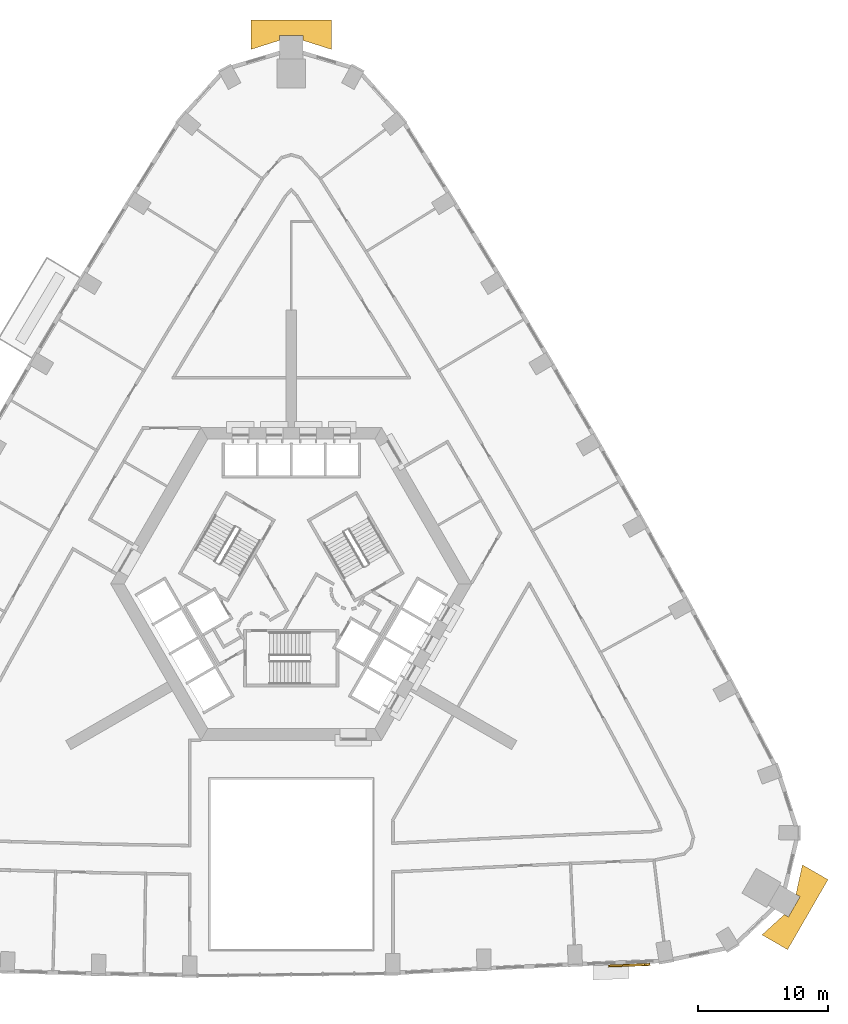
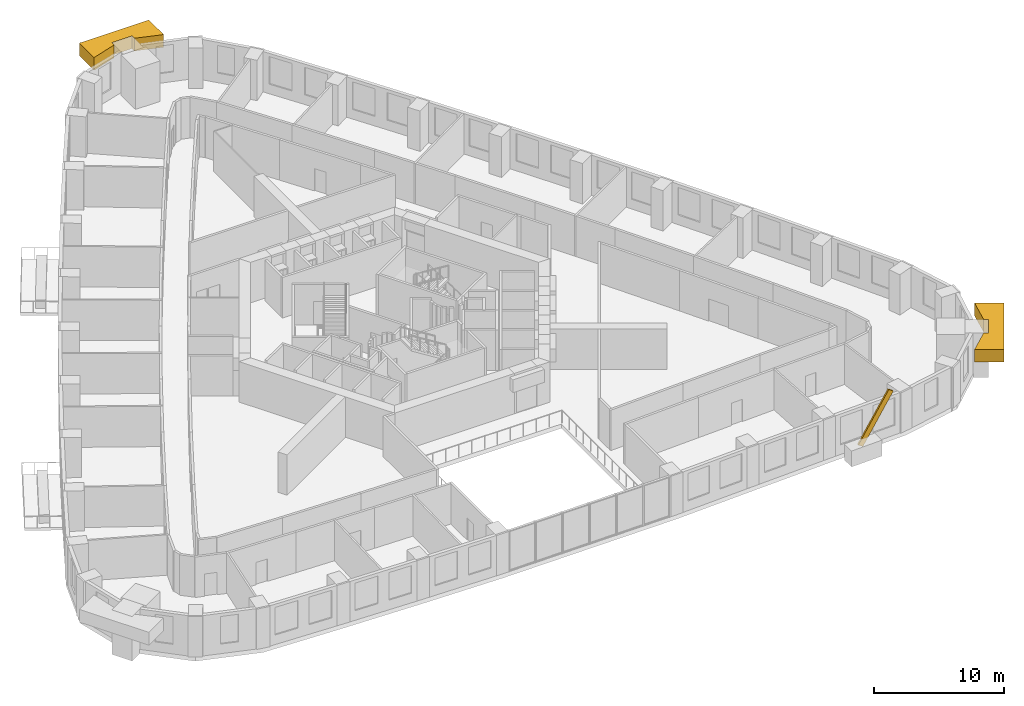
# One storey, part 15 of 15: 2 coverings, 1 shading device.
"""IFC4 building model written with IfcOpenShell, lengths in metres."""

import ifcopenshell
import ifcopenshell.guid

model = None  # the IFC model being written
_history = None  # IfcOwnerHistory: only IFC2X3 demands one
_inside = {}  # id of a spatial element -> (the spatial element, [elements in it])
_under = {}  # id of a project, library or spatial element -> (it, [spatial elements below it])
_declared = {}  # id of a project -> (the project, [libraries it declares])
_typed = {}  # id of a type object -> (the type object, [elements of that type])
_made_of = {}  # id of a material, layer set ... -> (it, [elements and type objects made of it])


def new_model(schema):
    """Start an empty IFC model of exactly this schema.

    Asked for "IFC4X3", IfcOpenShell would pick the latest addendum, in which some entities
    have other attributes; the version numbers below select the first issue.
    IFC2X3 requires an IfcOwnerHistory on every rooted entity: one is made here for all.
    """
    global model, _history
    if schema == "IFC4X3":
        model = ifcopenshell.file(schema_version=(4, 3, 0, 0))
    else:
        model = ifcopenshell.file(schema=schema)
    _inside.clear()
    _under.clear()
    _declared.clear()
    _typed.clear()
    _made_of.clear()
    _history = None
    if model.schema == "IFC2X3":
        org = make("IfcOrganization", Name="unknown")
        user = make(
            "IfcPersonAndOrganization",
            ThePerson=make("IfcPerson", FamilyName="unknown"),
            TheOrganization=org,
        )
        app = make(
            "IfcApplication",
            ApplicationDeveloper=org,
            Version="unknown",
            ApplicationFullName="unknown",
            ApplicationIdentifier="unknown",
        )
        _history = make(
            "IfcOwnerHistory",
            OwningUser=user,
            OwningApplication=app,
            ChangeAction="ADDED",
            CreationDate=0,
        )
    return model


def make(cls, **values):
    """One entity of the class cls with the attributes given. An attribute that is None is left unset."""
    return model.create_entity(
        cls, **{name: value for name, value in values.items() if value is not None}
    )


def rooted(cls, **values):
    """An entity with a GlobalId (a new one), such as an element, a storey or a relation."""
    return make(cls, GlobalId=ifcopenshell.guid.new(), OwnerHistory=_history, **values)


def si_unit(unit_type, name, prefix=None):
    """IfcSIUnit, for example si_unit("LENGTHUNIT", "METRE", prefix="MILLI")."""
    return make("IfcSIUnit", UnitType=unit_type, Prefix=prefix, Name=name)


def assignment(units):
    """IfcUnitAssignment: the units of a project."""
    return None if units is None else make("IfcUnitAssignment", Units=units)


def point(xyz):
    """IfcCartesianPoint."""
    return None if xyz is None else make("IfcCartesianPoint", Coordinates=xyz)


def direction(xyz):
    """IfcDirection."""
    return None if xyz is None else make("IfcDirection", DirectionRatios=xyz)


def frame(location, z_axis=None, x_axis=None):
    """IfcAxis2Placement3D, a coordinate frame: its origin and axes. An axis left out is left unset."""
    return make(
        "IfcAxis2Placement3D",
        Location=point(location),
        Axis=direction(z_axis),
        RefDirection=direction(x_axis),
    )


def frame_2d(location, x_axis=None):
    """IfcAxis2Placement2D, a coordinate frame in the plane: its origin and x axis."""
    return make(
        "IfcAxis2Placement2D", Location=point(location), RefDirection=direction(x_axis)
    )


def origin():
    """The frame at (0, 0, 0) with its axes left unset."""
    return frame((0.0, 0.0, 0.0))


def origin_2d():
    """The frame at (0, 0) in the plane with its x axis left unset."""
    return frame_2d((0.0, 0.0))


def place(relative_to, where):
    """IfcLocalPlacement: puts the frame where relative to a parent placement (None: the world)."""
    return make(
        "IfcLocalPlacement", PlacementRelTo=relative_to, RelativePlacement=where
    )


def context(
    kind, dimensions, precision=None, world=None, true_north=None, identifier=None
):
    """IfcGeometricRepresentationContext, for example the 3D "Model" context."""
    return make(
        "IfcGeometricRepresentationContext",
        ContextIdentifier=identifier,
        ContextType=kind,
        CoordinateSpaceDimension=dimensions,
        Precision=precision,
        WorldCoordinateSystem=world,
        TrueNorth=true_north,
    )


def subcontext(parent, identifier, kind, view, scale=None):
    """IfcGeometricRepresentationSubContext, for example "Body" below "Model"."""
    return make(
        "IfcGeometricRepresentationSubContext",
        ContextIdentifier=identifier,
        ContextType=kind,
        ParentContext=parent,
        TargetScale=scale,
        TargetView=view,
    )


def project(units=None, contexts=None):
    """IfcProject with its units and contexts."""
    return rooted(
        "IfcProject",
        Name="project",
        RepresentationContexts=contexts,
        UnitsInContext=assignment(units),
    )


def spatial(cls, under=None, at=None, **own):
    """A site, building, storey or space (cls), placed at a placement, below another one or the project."""
    s = rooted(cls, ObjectPlacement=at, **own)
    if under is not None:
        _under.setdefault(under.id(), (under, []))[1].append(s)
    return s


def polyline(points):
    """IfcPolyline through the points."""
    return make("IfcPolyline", Points=[point(p) for p in points])


def profile(cls, at=None, kind="AREA", **sizes):
    """A parametric profile (cls). Its sizes go by their IFC names, for example OverallWidth=200.0."""
    return make(cls, ProfileType=kind, Position=at, **sizes)


def rectangle(**sizes):
    """IfcRectangleProfileDef."""
    return profile("IfcRectangleProfileDef", **sizes)


def outline(outer, holes=None, kind="AREA"):
    """IfcArbitraryClosedProfileDef: a profile drawn as a closed curve; with holes, ...WithVoids."""
    if holes is None:
        return make("IfcArbitraryClosedProfileDef", ProfileType=kind, OuterCurve=outer)
    return make(
        "IfcArbitraryProfileDefWithVoids",
        ProfileType=kind,
        OuterCurve=outer,
        InnerCurves=holes,
    )


def extrude(swept, where, along, depth):
    """IfcExtrudedAreaSolid: the profile swept, set in the frame where, extruded along a direction by depth."""
    return make(
        "IfcExtrudedAreaSolid",
        SweptArea=swept,
        Position=where,
        ExtrudedDirection=direction(along),
        Depth=depth,
    )


def shape(context_of_items, identifier, shape_type, items):
    """IfcShapeRepresentation: the items that make up one representation, for example the "Body"."""
    return make(
        "IfcShapeRepresentation",
        ContextOfItems=context_of_items,
        RepresentationIdentifier=identifier,
        RepresentationType=shape_type,
        Items=items,
    )


def material(Name=None, Category=None):
    """IfcMaterial."""
    return make("IfcMaterial", Name=Name, Category=Category)


def material_profile(
    of_material, cross_section, Name=None, Category=None, Priority=None
):
    """IfcMaterialProfile: a cross section and its material."""
    return make(
        "IfcMaterialProfile",
        Name=Name,
        Material=of_material,
        Profile=cross_section,
        Priority=Priority,
        Category=Category,
    )


def profile_set(profiles, Name=None, composite=None):
    """IfcMaterialProfileSet."""
    return make(
        "IfcMaterialProfileSet",
        Name=Name,
        MaterialProfiles=profiles,
        CompositeProfile=composite,
    )


def made_of(thing, what):
    """Note that an element or type object is made of a material, layer set ...; save() writes the relation."""
    if what is not None:
        _made_of.setdefault(what.id(), (what, []))[1].append(thing)
    return thing


def type_object(cls, material=None, **own):
    """A type object (cls), such as IfcWallType, which elements share."""
    return made_of(rooted(cls, **own), material)


def element(
    cls,
    number,
    at=None,
    inside=None,
    cuts=None,
    type_object=None,
    material=None,
    context=None,
    identifier="Body",
    shape_type=None,
    held_by="IfcProductDefinitionShape",
    body=None,
    shapes=None,
    **own,
):
    """One element of the class cls, such as IfcWall. Its Tag is "e" and its number.

    at: its placement. inside: the storey or other place that contains it. cuts: it is an
    opening in that element (IfcRelVoidsElement). A single representation is given by context,
    identifier, shape_type and body (its items); several are given by shapes. held_by: the class
    of the entity that holds the representations. save() writes the other relations.
    """
    e = rooted(cls, Tag="e%d" % number, ObjectPlacement=at, **own)
    if body is not None:
        shapes = [shape(context, identifier, shape_type, body)]
    if shapes is not None:
        e.Representation = make(held_by, Representations=shapes)
    if inside is not None:
        _inside.setdefault(inside.id(), (inside, []))[1].append(e)
    if cuts is not None:
        rooted(
            "IfcRelVoidsElement", RelatingBuildingElement=cuts, RelatedOpeningElement=e
        )
    if type_object is not None:
        _typed.setdefault(type_object.id(), (type_object, []))[1].append(e)
    return made_of(e, material)


def aggregate(whole, parts):
    """IfcRelAggregates: a whole, such as a stair, and the parts it consists of."""
    return rooted("IfcRelAggregates", RelatingObject=whole, RelatedObjects=parts)


def save(model, path):
    """Write the relations noted so far, then the file.

    IfcRelAggregates (storeys below a building ...), IfcRelContainedInSpatialStructure (elements
    in a storey), IfcRelDefinesByType, IfcRelAssociatesMaterial and IfcRelDeclares: one each for
    every whole, place, type object, material and project.
    """
    for whole, parts in _under.values():
        aggregate(whole, parts)
    for where, things in _inside.values():
        rooted(
            "IfcRelContainedInSpatialStructure",
            RelatedElements=things,
            RelatingStructure=where,
        )
    for kind, things in _typed.values():
        rooted("IfcRelDefinesByType", RelatedObjects=things, RelatingType=kind)
    for what, things in _made_of.values():
        rooted("IfcRelAssociatesMaterial", RelatedObjects=things, RelatingMaterial=what)
    for by, libraries in _declared.values():
        rooted("IfcRelDeclares", RelatingContext=by, RelatedDefinitions=libraries)
    model.write(path)


model = new_model("IFC4")

# Units and contexts
model_context = context("Model", 3, precision=1e-05, world=origin(), true_north=direction((0.0, 1.0)))
body_context = subcontext(model_context, "Body", "Model", "MODEL_VIEW")
ifc_project = project(units=[si_unit("LENGTHUNIT", "METRE"), si_unit("AREAUNIT", "SQUARE_METRE"), si_unit("VOLUMEUNIT", "CUBIC_METRE"), si_unit("PLANEANGLEUNIT", "RADIAN"), si_unit("MASSUNIT", "GRAM", prefix="KILO")], contexts=[model_context])

# Site, building, storey
site_placement = place(None, origin())
site = spatial("IfcSite", under=ifc_project, at=site_placement, CompositionType="ELEMENT")
building_placement = place(site_placement, origin())
building = spatial("IfcBuilding", under=site, at=building_placement, Name="Entoto Arch Interchange Tower", CompositionType="ELEMENT")
storey_placement = place(building_placement, frame((0.0, 0.0, 120.199951171875)))
storey = spatial("IfcBuildingStorey", under=building, at=storey_placement, Name="L26", CompositionType="ELEMENT", Elevation=120.199951171875)

# Shading device
ifc_material = material(Name="Board-marked precast concrete C50/60", Category="concrete")
ifc_material_profile = material_profile(ifc_material, rectangle(XDim=0.14990234375, YDim=0.5, at=origin_2d()))
ifc_profile_set = profile_set([ifc_material_profile], Name="Board-marked precast concrete C50/60")
shading_device_type = type_object("IfcShadingDeviceType", Name="FOLD BAND PRECAST 150x500", PredefinedType="USERDEFINED", material=ifc_profile_set)
shading_device_placement = place(storey_placement, frame((24.5390625, -26.81103515625, 0.25), z_axis=(0.550450385132, 0.021055479213, 0.834602324645), x_axis=(-0.038223412723, 0.999269218339, 0.0)))
element("IfcShadingDevice", 1, at=shading_device_placement, inside=storey, type_object=shading_device_type, Name="Fold band L26", ObjectType="FOLD BAND", PredefinedType="USERDEFINED", context=body_context, shape_type="SweptSolid", body=[
    extrude(rectangle(XDim=0.14990234375, YDim=0.5, at=origin_2d()), origin(), (0.0, 0.0, 1.0), 5.0322265625),
])

# Coverings
covering_type = type_object("IfcCoveringType", Name="PRECAST FRAME COURSE", PredefinedType="CLADDING", material=ifc_material)
covering_1_placement = place(storey_placement, frame((0.0, 0.0, 2.60009765625)))
element("IfcCovering", 2, at=covering_1_placement, inside=storey, type_object=covering_type, Name="Corner pilaster head SE L24-L26", PredefinedType="CLADDING", context=body_context, shape_type="SweptSolid", body=[
    extrude(outline(polyline([(41.169921875, -20.18994140625), (38.070068359375, -25.56005859375), (36.10888671875, -24.427978515625), (37.81494140625, -22.8720703125), (38.1298828125, -23.053955078125), (39.030029296875, -21.49609375), (38.715087890625, -21.31396484375), (39.2099609375, -19.05908203125), (41.169921875, -20.18994140625)])), origin(), (0.0, 0.0, 1.0), 1.199951171875),
])
covering_2_placement = place(storey_placement, frame((0.0, 0.0, 2.60009765625)))
element("IfcCovering", 3, at=covering_2_placement, inside=storey, type_object=covering_type, Name="Corner pilaster head N L24-L26", PredefinedType="CLADDING", context=body_context, shape_type="SweptSolid", body=[
    extrude(outline(polyline([(-3.10009765625, 45.7490234375), (3.10009765625, 45.7490234375), (3.10009765625, 43.486083984375), (0.89990234375, 44.18505859375), (0.89990234375, 44.549072265625), (-0.89990234375, 44.549072265625), (-0.89990234375, 44.18505859375), (-3.10009765625, 43.486083984375), (-3.10009765625, 45.7490234375)])), origin(), (0.0, 0.0, 1.0), 1.199951171875),
])

save(model, "model.ifc")
